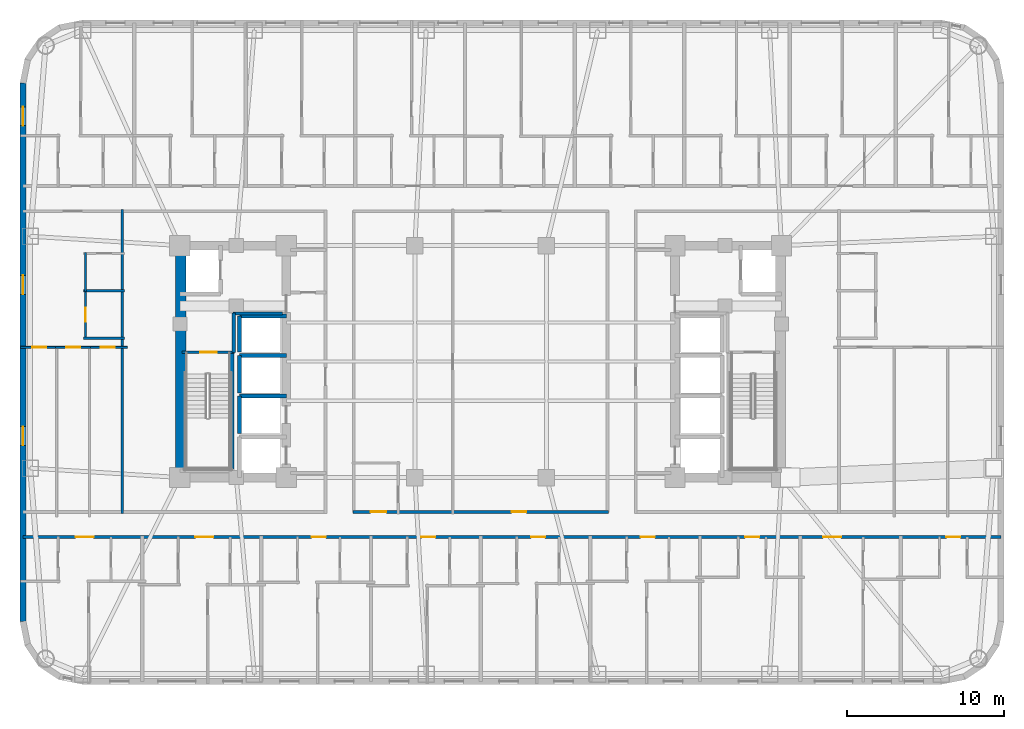
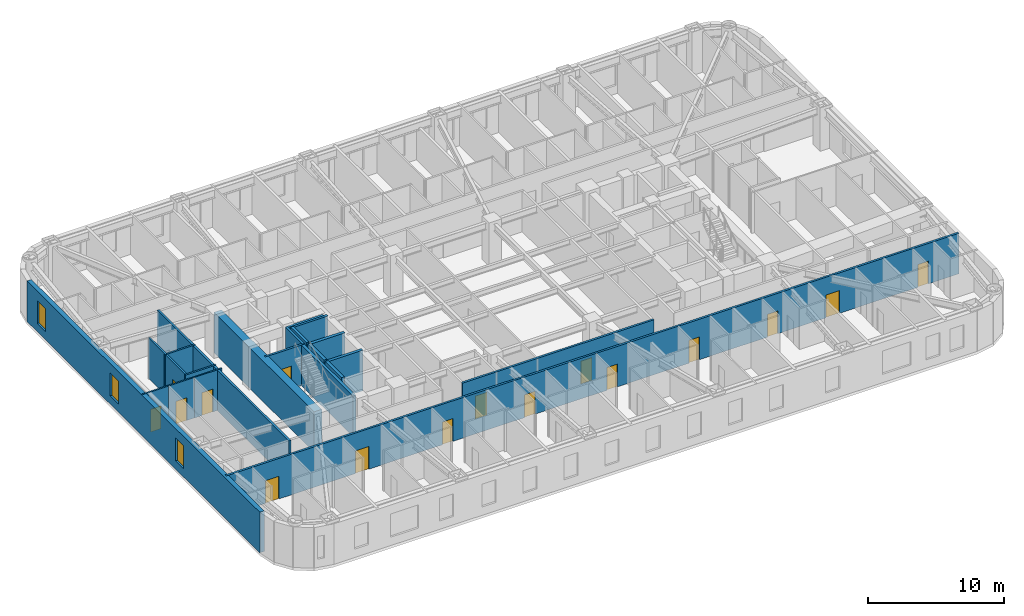
# One storey, part 5 of 13: 22 walls, 16 doors, 3 windows, 19 openings.
"""IFC4 building model written with IfcOpenShell, lengths in metres."""

from ifc_helpers import new_model, si_unit, direction, frame, frame_2d, origin, place, context, subcontext, project, spatial, rectangle, extrude, material, layer, layer_set, type_object, element, fill, save


model = new_model("IFC4")

# Units and contexts
model_context = context("Model", 3, precision=1e-05, world=origin(), true_north=direction((0.0, 1.0)))
body_context = subcontext(model_context, "Body", "Model", "MODEL_VIEW")
ifc_project = project(units=[si_unit("LENGTHUNIT", "METRE"), si_unit("AREAUNIT", "SQUARE_METRE"), si_unit("VOLUMEUNIT", "CUBIC_METRE"), si_unit("PLANEANGLEUNIT", "RADIAN"), si_unit("MASSUNIT", "GRAM", prefix="KILO")], contexts=[model_context])

# Site, building, storey
site_placement = place(None, origin())
site = spatial("IfcSite", under=ifc_project, at=site_placement, CompositionType="ELEMENT")
building_placement = place(site_placement, origin())
building = spatial("IfcBuilding", under=site, at=building_placement, Name="Voryun Gate Residences", CompositionType="ELEMENT")
storey_placement = place(building_placement, frame((0.0, 0.0, 120.89990234375)))
storey = spatial("IfcBuildingStorey", under=building, at=storey_placement, Name="L29", CompositionType="ELEMENT", Elevation=120.89990234375)

# Wall
ifc_material_1 = material(Name="Concrete C60/75", Category="concrete")
ifc_layer_1 = layer(ifc_material_1, 0.64990234375, Name="CW_CORE_650")
ifc_layer_set_1 = layer_set([ifc_layer_1], Name="Concrete C60/75")
wall_type_1 = type_object("IfcWallType", Name="CW_CORE_650", PredefinedType="SHEAR", material=ifc_layer_set_1)
wall_1_placement = place(storey_placement, frame((-19.14501953125, -7.39990234375, 0.0), z_axis=(0.0, 0.0, 1.0), x_axis=(0.0, 1.0, 0.0)))
element("IfcWall", 1, at=wall_1_placement, inside=storey, type_object=wall_type_1, Name="L29 Core shear wall CW-L29-WW", PredefinedType="SHEAR", context=body_context, shape_type="SweptSolid", body=[
    extrude(rectangle(XDim=14.7998046875, YDim=0.64990234375, at=frame_2d((7.39990234375, 0.0))), origin(), (0.0, 0.0, 1.0), 3.650146484375),
])

# Wall, opening, door
ifc_material_2 = material(Name="Gypsum acoustic fireboard")
ifc_layer_2 = layer(ifc_material_2, 0.179931640625, Name="W_CORR_RATED_180")
ifc_layer_set_2 = layer_set([ifc_layer_2], Name="Gypsum acoustic fireboard")
wall_type_2 = type_object("IfcWallType", Name="W_CORR_RATED_180", PredefinedType="PARTITIONING", material=ifc_layer_set_2)
wall_2_placement = place(storey_placement, frame((-19.06005859375, 0.60009765625, 0.0), z_axis=(0.0, 0.0, 1.0), x_axis=(1.0, 0.0, 0.0)))
wall_2 = element("IfcWall", 2, at=wall_2_placement, inside=storey, type_object=wall_type_2, Name="Partition wall WP-L29-STV-W", PredefinedType="PARTITIONING", context=body_context, shape_type="SweptSolid", body=[
    extrude(rectangle(XDim=3.360107421875, YDim=0.179931640625, at=frame_2d((1.68017578125, 0.0))), origin(), (0.0, 0.0, 1.0), 3.650146484375),
])
opening_1_placement = place(wall_2_placement, frame((1.155029296875, 0.0, 0.0)))
opening_1 = element("IfcOpeningElement", 3, at=opening_1_placement, cuts=wall_2, Name="Opening D-FD60-1", PredefinedType="OPENING", context=body_context, shape_type="SweptSolid", body=[
    extrude(rectangle(XDim=1.050048828125, YDim=2.050048828125, at=frame_2d((0.52490234375, 1.02490234375))), frame((0.0, 0.099853515625, 0.0), z_axis=(0.0, -1.0, 0.0), x_axis=(1.0, 0.0, 0.0)), (0.0, 0.0, 1.0), 0.199951171875),
])
ifc_material_3 = material(Name="Painted steel fire door", Category="steel")
door_type_1 = type_object("IfcDoorType", Name="DR_FD60_STAIR_1050", OperationType="NOTDEFINED", PredefinedType="DOOR", material=ifc_material_3)
door_1_placement = place(opening_1_placement, origin())
door_1 = element("IfcDoor", 4, at=door_1_placement, inside=storey, type_object=door_type_1, Name="Door DR-L29-ST-W", OperationType="SINGLE_SWING_LEFT", OverallHeight=2.050048828125, OverallWidth=1.050048828125, PredefinedType="DOOR", context=body_context, shape_type="SweptSolid", body=[
    extrude(rectangle(XDim=1.050048828125, YDim=2.050048828125, at=frame_2d((0.52490234375, 1.02490234375))), frame((0.0, 0.02490234375, 0.0), z_axis=(0.0, -1.0, 0.0), x_axis=(1.0, 0.0, 0.0)), (0.0, 0.0, 1.0), 0.050048828125),
])
fill(opening_1, door_1)

# Wall, openings, doors
wall_3_placement = place(storey_placement, frame((-8.14990234375, -9.590087890625, 0.0), z_axis=(0.0, 0.0, 1.0), x_axis=(1.0, 0.0, 0.0)))
wall_3 = element("IfcWall", 5, at=wall_3_placement, inside=storey, type_object=wall_type_2, Name="Partition wall WP-L29-Z1S", PredefinedType="PARTITIONING", context=body_context, shape_type="SweptSolid", body=[
    extrude(rectangle(XDim=16.2998046875, YDim=0.179931640625, at=frame_2d((8.14990234375, 0.0))), origin(), (0.0, 0.0, 1.0), 3.650146484375),
])
opening_2_placement = place(wall_3_placement, frame((1.1298828125, 0.0, 0.0)))
opening_2 = element("IfcOpeningElement", 6, at=opening_2_placement, cuts=wall_3, Name="Opening D-AWC-1", PredefinedType="OPENING", context=body_context, shape_type="SweptSolid", body=[
    extrude(rectangle(XDim=1.0, YDim=2.050048828125, at=frame_2d((0.5, 1.02490234375))), frame((0.0, 0.099853515625, 0.0), z_axis=(0.0, -1.0, 0.0), x_axis=(1.0, 0.0, 0.0)), (0.0, 0.0, 1.0), 0.199951171875),
])
opening_3_placement = place(wall_3_placement, frame((10.1201171875, 0.0, 0.0)))
opening_3 = element("IfcOpeningElement", 7, at=opening_3_placement, cuts=wall_3, Name="Opening D-INT-1", PredefinedType="OPENING", context=body_context, shape_type="SweptSolid", body=[
    extrude(rectangle(XDim=0.949951171875, YDim=2.050048828125, at=frame_2d((0.47509765625, 1.02490234375))), frame((0.0, 0.099853515625, 0.0), z_axis=(0.0, -1.0, 0.0), x_axis=(1.0, 0.0, 0.0)), (0.0, 0.0, 1.0), 0.199951171875),
])
ifc_material_4 = material(Name="Architectural oak veneer")
door_type_2 = type_object("IfcDoorType", Name="DR_ACC_WC_1000", OperationType="NOTDEFINED", PredefinedType="DOOR", material=ifc_material_4)
door_2_placement = place(opening_2_placement, origin())
door_2 = element("IfcDoor", 8, at=door_2_placement, inside=storey, type_object=door_type_2, Name="Door DR-L29-CMWC-D", OperationType="SINGLE_SWING_LEFT", OverallHeight=2.050048828125, OverallWidth=1.0, PredefinedType="DOOR", context=body_context, shape_type="SweptSolid", body=[
    extrude(rectangle(XDim=1.0, YDim=2.050048828125, at=frame_2d((0.5, 1.02490234375))), frame((0.0, 0.02490234375, 0.0), z_axis=(0.0, -1.0, 0.0), x_axis=(1.0, 0.0, 0.0)), (0.0, 0.0, 1.0), 0.050048828125),
])
fill(opening_2, door_2)
ifc_material_5 = material(Name="Architectural oak veneer")
door_type_3 = type_object("IfcDoorType", Name="DR_INT_ROOM_950", OperationType="NOTDEFINED", PredefinedType="DOOR", material=ifc_material_5)
door_3_placement = place(opening_3_placement, origin())
door_3 = element("IfcDoor", 9, at=door_3_placement, inside=storey, type_object=door_type_3, Name="Door DR-L29-CMIDZ1S", OperationType="SINGLE_SWING_RIGHT", OverallHeight=2.050048828125, OverallWidth=0.949951171875, PredefinedType="DOOR", context=body_context, shape_type="SweptSolid", body=[
    extrude(rectangle(XDim=0.949951171875, YDim=2.050048828125, at=frame_2d((0.47509765625, 1.02490234375))), frame((0.0, 0.02490234375, 0.0), z_axis=(0.0, -1.0, 0.0), x_axis=(1.0, 0.0, 0.0)), (0.0, 0.0, 1.0), 0.050048828125),
])
fill(opening_3, door_3)

wall_4_placement = place(storey_placement, frame((-29.2099609375, -11.199951171875, 0.0), z_axis=(0.0, 0.0, 1.0), x_axis=(1.0, 0.0, 0.0)))
wall_4 = element("IfcWall", 10, at=wall_4_placement, inside=storey, type_object=wall_type_2, Name="Partition wall WP-L29-SCORR", PredefinedType="PARTITIONING", context=body_context, shape_type="SweptSolid", body=[
    extrude(rectangle(XDim=62.419921875, YDim=0.179931640625, at=frame_2d((31.2099609375, 0.0))), origin(), (0.0, 0.0, 1.0), 3.650146484375),
])
opening_4_placement = place(wall_4_placement, frame((3.357421875, 0.0, 0.0)))
opening_4 = element("IfcOpeningElement", 11, at=opening_4_placement, cuts=wall_4, Name="Opening D-UNIT-1", PredefinedType="OPENING", context=body_context, shape_type="SweptSolid", body=[
    extrude(rectangle(XDim=1.14990234375, YDim=2.050048828125, at=frame_2d((0.574951171875, 1.02490234375))), frame((0.0, 0.099853515625, 0.0), z_axis=(0.0, -1.0, 0.0), x_axis=(1.0, 0.0, 0.0)), (0.0, 0.0, 1.0), 0.199951171875),
])
opening_5_placement = place(wall_4_placement, frame((10.997802734375, 0.0, 0.0)))
opening_5 = element("IfcOpeningElement", 12, at=opening_5_placement, cuts=wall_4, Name="Opening D-UNIT-1", PredefinedType="OPENING", context=body_context, shape_type="SweptSolid", body=[
    extrude(rectangle(XDim=1.14990234375, YDim=2.050048828125, at=frame_2d((0.574951171875, 1.02490234375))), frame((0.0, 0.099853515625, 0.0), z_axis=(0.0, -1.0, 0.0), x_axis=(1.0, 0.0, 0.0)), (0.0, 0.0, 1.0), 0.199951171875),
])
opening_6_placement = place(wall_4_placement, frame((18.42578125, 0.0, 0.0)))
opening_6 = element("IfcOpeningElement", 13, at=opening_6_placement, cuts=wall_4, Name="Opening D-INT-2", PredefinedType="OPENING", context=body_context, shape_type="SweptSolid", body=[
    extrude(rectangle(XDim=0.89990234375, YDim=2.050048828125, at=frame_2d((0.449951171875, 1.02490234375))), frame((0.0, 0.099853515625, 0.0), z_axis=(0.0, -1.0, 0.0), x_axis=(1.0, 0.0, 0.0)), (0.0, 0.0, 1.0), 0.199951171875),
])
opening_7_placement = place(wall_4_placement, frame((25.423095703125, 0.0, 0.0)))
opening_7 = element("IfcOpeningElement", 14, at=opening_7_placement, cuts=wall_4, Name="Opening D-INT-2", PredefinedType="OPENING", context=body_context, shape_type="SweptSolid", body=[
    extrude(rectangle(XDim=0.89990234375, YDim=2.050048828125, at=frame_2d((0.449951171875, 1.02490234375))), frame((0.0, 0.099853515625, 0.0), z_axis=(0.0, -1.0, 0.0), x_axis=(1.0, 0.0, 0.0)), (0.0, 0.0, 1.0), 0.199951171875),
])
opening_8_placement = place(wall_4_placement, frame((32.426513671875, 0.0, 0.0)))
opening_8 = element("IfcOpeningElement", 15, at=opening_8_placement, cuts=wall_4, Name="Opening D-INT-2", PredefinedType="OPENING", context=body_context, shape_type="SweptSolid", body=[
    extrude(rectangle(XDim=0.89990234375, YDim=2.050048828125, at=frame_2d((0.449951171875, 1.02490234375))), frame((0.0, 0.099853515625, 0.0), z_axis=(0.0, -1.0, 0.0), x_axis=(1.0, 0.0, 0.0)), (0.0, 0.0, 1.0), 0.199951171875),
])
opening_9_placement = place(wall_4_placement, frame((39.423828125, 0.0, 0.0)))
opening_9 = element("IfcOpeningElement", 16, at=opening_9_placement, cuts=wall_4, Name="Opening D-INT-2", PredefinedType="OPENING", context=body_context, shape_type="SweptSolid", body=[
    extrude(rectangle(XDim=0.89990234375, YDim=2.050048828125, at=frame_2d((0.449951171875, 1.02490234375))), frame((0.0, 0.099853515625, 0.0), z_axis=(0.0, -1.0, 0.0), x_axis=(1.0, 0.0, 0.0)), (0.0, 0.0, 1.0), 0.199951171875),
])
opening_10_placement = place(wall_4_placement, frame((46.09033203125, 0.0, 0.0)))
opening_10 = element("IfcOpeningElement", 17, at=opening_10_placement, cuts=wall_4, Name="Opening D-INT-2", PredefinedType="OPENING", context=body_context, shape_type="SweptSolid", body=[
    extrude(rectangle(XDim=0.89990234375, YDim=2.050048828125, at=frame_2d((0.449951171875, 1.02490234375))), frame((0.0, 0.099853515625, 0.0), z_axis=(0.0, -1.0, 0.0), x_axis=(1.0, 0.0, 0.0)), (0.0, 0.0, 1.0), 0.199951171875),
])
opening_11_placement = place(wall_4_placement, frame((51.0712890625, 0.0, 0.0)))
opening_11 = element("IfcOpeningElement", 18, at=opening_11_placement, cuts=wall_4, Name="Opening D-UNIT-1", PredefinedType="OPENING", context=body_context, shape_type="SweptSolid", body=[
    extrude(rectangle(XDim=1.14990234375, YDim=2.050048828125, at=frame_2d((0.574951171875, 1.02490234375))), frame((0.0, 0.099853515625, 0.0), z_axis=(0.0, -1.0, 0.0), x_axis=(1.0, 0.0, 0.0)), (0.0, 0.0, 1.0), 0.199951171875),
])
opening_12_placement = place(wall_4_placement, frame((58.93017578125, 0.0, 0.0)))
opening_12 = element("IfcOpeningElement", 19, at=opening_12_placement, cuts=wall_4, Name="Opening D-INT-2", PredefinedType="OPENING", context=body_context, shape_type="SweptSolid", body=[
    extrude(rectangle(XDim=0.89990234375, YDim=2.050048828125, at=frame_2d((0.449951171875, 1.02490234375))), frame((0.0, 0.099853515625, 0.0), z_axis=(0.0, -1.0, 0.0), x_axis=(1.0, 0.0, 0.0)), (0.0, 0.0, 1.0), 0.199951171875),
])
ifc_material_6 = material(Name="Architectural oak veneer")
door_type_4 = type_object("IfcDoorType", Name="DR_INT_BATH_900", OperationType="NOTDEFINED", PredefinedType="DOOR", material=ifc_material_6)
door_4_placement = place(opening_6_placement, origin())
door_4 = element("IfcDoor", 20, at=door_4_placement, inside=storey, type_object=door_type_4, Name="Door DR-L29-SENT-3", OperationType="SINGLE_SWING_RIGHT", OverallHeight=2.050048828125, OverallWidth=0.89990234375, PredefinedType="DOOR", context=body_context, shape_type="SweptSolid", body=[
    extrude(rectangle(XDim=0.89990234375, YDim=2.050048828125, at=frame_2d((0.449951171875, 1.02490234375))), frame((0.0, 0.02490234375, 0.0), z_axis=(0.0, -1.0, 0.0), x_axis=(1.0, 0.0, 0.0)), (0.0, 0.0, 1.0), 0.050048828125),
])
fill(opening_6, door_4)
door_5_placement = place(opening_7_placement, origin())
door_5 = element("IfcDoor", 21, at=door_5_placement, inside=storey, type_object=door_type_4, Name="Door DR-L29-SENT-4", OperationType="SINGLE_SWING_LEFT", OverallHeight=2.050048828125, OverallWidth=0.89990234375, PredefinedType="DOOR", context=body_context, shape_type="SweptSolid", body=[
    extrude(rectangle(XDim=0.89990234375, YDim=2.050048828125, at=frame_2d((0.449951171875, 1.02490234375))), frame((0.0, 0.02490234375, 0.0), z_axis=(0.0, -1.0, 0.0), x_axis=(1.0, 0.0, 0.0)), (0.0, 0.0, 1.0), 0.050048828125),
])
fill(opening_7, door_5)
door_6_placement = place(opening_8_placement, origin())
door_6 = element("IfcDoor", 22, at=door_6_placement, inside=storey, type_object=door_type_4, Name="Door DR-L29-SENT-5", OperationType="SINGLE_SWING_RIGHT", OverallHeight=2.050048828125, OverallWidth=0.89990234375, PredefinedType="DOOR", context=body_context, shape_type="SweptSolid", body=[
    extrude(rectangle(XDim=0.89990234375, YDim=2.050048828125, at=frame_2d((0.449951171875, 1.02490234375))), frame((0.0, 0.02490234375, 0.0), z_axis=(0.0, -1.0, 0.0), x_axis=(1.0, 0.0, 0.0)), (0.0, 0.0, 1.0), 0.050048828125),
])
fill(opening_8, door_6)
door_7_placement = place(opening_9_placement, origin())
door_7 = element("IfcDoor", 23, at=door_7_placement, inside=storey, type_object=door_type_4, Name="Door DR-L29-SENT-6", OperationType="SINGLE_SWING_LEFT", OverallHeight=2.050048828125, OverallWidth=0.89990234375, PredefinedType="DOOR", context=body_context, shape_type="SweptSolid", body=[
    extrude(rectangle(XDim=0.89990234375, YDim=2.050048828125, at=frame_2d((0.449951171875, 1.02490234375))), frame((0.0, 0.02490234375, 0.0), z_axis=(0.0, -1.0, 0.0), x_axis=(1.0, 0.0, 0.0)), (0.0, 0.0, 1.0), 0.050048828125),
])
fill(opening_9, door_7)
door_8_placement = place(opening_10_placement, origin())
door_8 = element("IfcDoor", 24, at=door_8_placement, inside=storey, type_object=door_type_4, Name="Door DR-L29-SENT-7", OperationType="SINGLE_SWING_RIGHT", OverallHeight=2.050048828125, OverallWidth=0.89990234375, PredefinedType="DOOR", context=body_context, shape_type="SweptSolid", body=[
    extrude(rectangle(XDim=0.89990234375, YDim=2.050048828125, at=frame_2d((0.449951171875, 1.02490234375))), frame((0.0, 0.02490234375, 0.0), z_axis=(0.0, -1.0, 0.0), x_axis=(1.0, 0.0, 0.0)), (0.0, 0.0, 1.0), 0.050048828125),
])
fill(opening_10, door_8)
door_9_placement = place(opening_12_placement, origin())
door_9 = element("IfcDoor", 25, at=door_9_placement, inside=storey, type_object=door_type_4, Name="Door DR-L29-SENT-9", OperationType="SINGLE_SWING_RIGHT", OverallHeight=2.050048828125, OverallWidth=0.89990234375, PredefinedType="DOOR", context=body_context, shape_type="SweptSolid", body=[
    extrude(rectangle(XDim=0.89990234375, YDim=2.050048828125, at=frame_2d((0.449951171875, 1.02490234375))), frame((0.0, 0.02490234375, 0.0), z_axis=(0.0, -1.0, 0.0), x_axis=(1.0, 0.0, 0.0)), (0.0, 0.0, 1.0), 0.050048828125),
])
fill(opening_12, door_9)
ifc_material_7 = material(Name="Armoured timber-clad fire door", Category="wood")
door_type_5 = type_object("IfcDoorType", Name="DR_UNIT_ENTRY_1150", OperationType="NOTDEFINED", PredefinedType="DOOR", material=ifc_material_7)
door_10_placement = place(opening_4_placement, origin())
door_10 = element("IfcDoor", 26, at=door_10_placement, inside=storey, type_object=door_type_5, Name="Door DR-L29-SENT-1", OperationType="SINGLE_SWING_RIGHT", OverallHeight=2.050048828125, OverallWidth=1.14990234375, PredefinedType="DOOR", context=body_context, shape_type="SweptSolid", body=[
    extrude(rectangle(XDim=1.14990234375, YDim=2.050048828125, at=frame_2d((0.574951171875, 1.02490234375))), frame((0.0, 0.02490234375, 0.0), z_axis=(0.0, -1.0, 0.0), x_axis=(1.0, 0.0, 0.0)), (0.0, 0.0, 1.0), 0.050048828125),
])
fill(opening_4, door_10)
door_11_placement = place(opening_5_placement, origin())
door_11 = element("IfcDoor", 27, at=door_11_placement, inside=storey, type_object=door_type_5, Name="Door DR-L29-SENT-2", OperationType="SINGLE_SWING_LEFT", OverallHeight=2.050048828125, OverallWidth=1.14990234375, PredefinedType="DOOR", context=body_context, shape_type="SweptSolid", body=[
    extrude(rectangle(XDim=1.14990234375, YDim=2.050048828125, at=frame_2d((0.574951171875, 1.02490234375))), frame((0.0, 0.02490234375, 0.0), z_axis=(0.0, -1.0, 0.0), x_axis=(1.0, 0.0, 0.0)), (0.0, 0.0, 1.0), 0.050048828125),
])
fill(opening_5, door_11)
door_12_placement = place(opening_11_placement, origin())
door_12 = element("IfcDoor", 28, at=door_12_placement, inside=storey, type_object=door_type_5, Name="Door DR-L29-SENT-8", OperationType="SINGLE_SWING_LEFT", OverallHeight=2.050048828125, OverallWidth=1.14990234375, PredefinedType="DOOR", context=body_context, shape_type="SweptSolid", body=[
    extrude(rectangle(XDim=1.14990234375, YDim=2.050048828125, at=frame_2d((0.574951171875, 1.02490234375))), frame((0.0, 0.02490234375, 0.0), z_axis=(0.0, -1.0, 0.0), x_axis=(1.0, 0.0, 0.0)), (0.0, 0.0, 1.0), 0.050048828125),
])
fill(opening_11, door_12)

# Wall
wall_5_placement = place(storey_placement, frame((-22.8701171875, -9.7099609375, 0.0), z_axis=(0.0, 0.0, 1.0), x_axis=(0.0, 1.0, 0.0)))
element("IfcWall", 29, at=wall_5_placement, inside=storey, type_object=wall_type_2, Name="Partition wall WP-L29-WCOR", PredefinedType="PARTITIONING", context=body_context, shape_type="SweptSolid", body=[
    extrude(rectangle(XDim=19.419921875, YDim=0.179931640625, at=frame_2d((9.7099609375, 0.0))), origin(), (0.0, 0.0, 1.0), 3.650146484375),
])

# Wall, openings, windows
ifc_material_8 = material(Name="Granite masonry", Category="masonry")
ifc_layer_3 = layer(ifc_material_8, 0.3798828125, Name="W_EXT_GRANITE_380")
ifc_layer_set_3 = layer_set([ifc_layer_3], Name="Granite masonry")
wall_type_3 = type_object("IfcWallType", Name="W_EXT_GRANITE_380", PredefinedType="ELEMENTEDWALL", material=ifc_layer_set_3)
wall_6_placement = place(storey_placement, frame((-29.2099609375, -16.581298828125, 0.0), z_axis=(0.0, 0.0, 1.0), x_axis=(0.0, 1.0, 0.0)))
wall_6 = element("IfcWall", 30, at=wall_6_placement, inside=storey, type_object=wall_type_3, Name="Exterior wall WEXT-L29-06", PredefinedType="ELEMENTEDWALL", context=body_context, shape_type="SweptSolid", body=[
    extrude(rectangle(XDim=34.362548828125, YDim=0.3798828125, at=frame_2d((17.18115234375, 0.0))), origin(), (0.0, 0.0, 1.0), 3.650146484375),
])
opening_13_placement = place(wall_6_placement, frame((31.636962890625, 0.0, 0.75)))
opening_13 = element("IfcOpeningElement", 31, at=opening_13_placement, cuts=wall_6, Name="Opening WN6", PredefinedType="OPENING", context=body_context, shape_type="SweptSolid", body=[
    extrude(rectangle(XDim=1.199951171875, YDim=2.050048828125, at=frame_2d((0.60009765625, 1.02490234375))), frame((0.0, 0.199951171875, 0.0), z_axis=(0.0, -1.0, 0.0), x_axis=(1.0, 0.0, 0.0)), (0.0, 0.0, 1.0), 0.39990234375),
])
opening_14_placement = place(wall_6_placement, frame((20.876220703125, 0.0, 0.75)))
opening_14 = element("IfcOpeningElement", 32, at=opening_14_placement, cuts=wall_6, Name="Opening WN6", PredefinedType="OPENING", context=body_context, shape_type="SweptSolid", body=[
    extrude(rectangle(XDim=1.199951171875, YDim=2.050048828125, at=frame_2d((0.60009765625, 1.02490234375))), frame((0.0, 0.199951171875, 0.0), z_axis=(0.0, -1.0, 0.0), x_axis=(1.0, 0.0, 0.0)), (0.0, 0.0, 1.0), 0.39990234375),
])
opening_15_placement = place(wall_6_placement, frame((11.226318359375, 0.0, 0.75)))
opening_15 = element("IfcOpeningElement", 33, at=opening_15_placement, cuts=wall_6, Name="Opening WN6", PredefinedType="OPENING", context=body_context, shape_type="SweptSolid", body=[
    extrude(rectangle(XDim=1.199951171875, YDim=2.050048828125, at=frame_2d((0.60009765625, 1.02490234375))), frame((0.0, 0.199951171875, 0.0), z_axis=(0.0, -1.0, 0.0), x_axis=(1.0, 0.0, 0.0)), (0.0, 0.0, 1.0), 0.39990234375),
])
ifc_material_9 = material(Name="Laminated low-E glass", Category="glass")
window_type = type_object("IfcWindowType", Name="WN_POD_SLOT_1200", PartitioningType="SINGLE_PANEL", PredefinedType="WINDOW", material=ifc_material_9)
window_1_placement = place(opening_13_placement, origin())
window_1 = element("IfcWindow", 34, at=window_1_placement, inside=storey, type_object=window_type, Name="Window WN-L29-DWFIX-01", OverallHeight=2.050048828125, OverallWidth=1.199951171875, PartitioningType="SINGLE_PANEL", PredefinedType="WINDOW", context=body_context, shape_type="SweptSolid", body=[
    extrude(rectangle(XDim=1.199951171875, YDim=2.050048828125, at=frame_2d((0.60009765625, 1.02490234375))), frame((0.0, 0.030029296875, 0.0), z_axis=(0.0, -1.0, 0.0), x_axis=(1.0, 0.0, 0.0)), (0.0, 0.0, 1.0), 0.06005859375),
])
fill(opening_13, window_1)
window_2_placement = place(opening_14_placement, origin())
window_2 = element("IfcWindow", 35, at=window_2_placement, inside=storey, type_object=window_type, Name="Window WN-L29-DWFIX-30", OverallHeight=2.050048828125, OverallWidth=1.199951171875, PartitioningType="SINGLE_PANEL", PredefinedType="WINDOW", context=body_context, shape_type="SweptSolid", body=[
    extrude(rectangle(XDim=1.199951171875, YDim=2.050048828125, at=frame_2d((0.60009765625, 1.02490234375))), frame((0.0, 0.030029296875, 0.0), z_axis=(0.0, -1.0, 0.0), x_axis=(1.0, 0.0, 0.0)), (0.0, 0.0, 1.0), 0.06005859375),
])
fill(opening_14, window_2)
window_3_placement = place(opening_15_placement, origin())
window_3 = element("IfcWindow", 36, at=window_3_placement, inside=storey, type_object=window_type, Name="Window WN-L29-DWFIX-31", OverallHeight=2.050048828125, OverallWidth=1.199951171875, PartitioningType="SINGLE_PANEL", PredefinedType="WINDOW", context=body_context, shape_type="SweptSolid", body=[
    extrude(rectangle(XDim=1.199951171875, YDim=2.050048828125, at=frame_2d((0.60009765625, 1.02490234375))), frame((0.0, 0.030029296875, 0.0), z_axis=(0.0, -1.0, 0.0), x_axis=(1.0, 0.0, 0.0)), (0.0, 0.0, 1.0), 0.06005859375),
])
fill(opening_15, window_3)

# Walls
ifc_material_10 = material(Name="Concrete C40/50", Category="concrete")
ifc_layer_4 = layer(ifc_material_10, 0.199951171875, Name="W_FF_LOBBY_200")
ifc_layer_set_4 = layer_set([ifc_layer_4], Name="Concrete C40/50")
wall_type_4 = type_object("IfcWallType", Name="W_FF_LOBBY_200", PredefinedType="PARTITIONING", material=ifc_layer_set_4)
wall_7_placement = place(storey_placement, frame((-15.760009765625, 0.580078125, 0.0), z_axis=(0.0, 0.0, 1.0), x_axis=(0.0, 1.0, 0.0)))
element("IfcWall", 37, at=wall_7_placement, inside=storey, type_object=wall_type_4, Name="Partition wall WP-L29-FFP0-W", PredefinedType="PARTITIONING", context=body_context, shape_type="SweptSolid", body=[
    extrude(rectangle(XDim=2.52001953125, YDim=0.199951171875, at=frame_2d((1.260009765625, 0.0))), origin(), (0.0, 0.0, 1.0), 3.650146484375),
])
wall_8_placement = place(storey_placement, frame((-15.820068359375, 3.06005859375, 0.0), z_axis=(0.0, 0.0, 1.0), x_axis=(1.0, 0.0, 0.0)))
element("IfcWall", 38, at=wall_8_placement, inside=storey, type_object=wall_type_4, Name="Partition wall WP-L29-FFPS-W", PredefinedType="PARTITIONING", context=body_context, shape_type="SweptSolid", body=[
    extrude(rectangle(XDim=3.16015625, YDim=0.199951171875, at=frame_2d((1.580078125, 0.0))), origin(), (0.0, 0.0, 1.0), 3.650146484375),
])
ifc_material_11 = material(Name="Concrete C50/60", Category="concrete")
ifc_layer_5 = layer(ifc_material_11, 0.25, Name="W_SHAFT_RC250")
ifc_layer_set_5 = layer_set([ifc_layer_5], Name="Concrete C50/60")
wall_type_5 = type_object("IfcWallType", Name="W_SHAFT_RC250", PredefinedType="SOLIDWALL", material=ifc_layer_set_5)
wall_9_placement = place(storey_placement, frame((-15.860107421875, -7.0849609375, 0.0), z_axis=(0.0, 0.0, 1.0), x_axis=(0.0, 1.0, 0.0)))
element("IfcWall", 39, at=wall_9_placement, inside=storey, type_object=wall_type_5, Name="L29 Stair shaft structural wall W-STR", PredefinedType="SOLIDWALL", context=body_context, shape_type="SweptSolid", body=[
    extrude(rectangle(XDim=7.68505859375, YDim=0.25, at=frame_2d((3.842529296875, 0.0))), origin(), (0.0, 0.0, 1.0), 3.650146484375),
])
wall_10_placement = place(storey_placement, frame((-12.39990234375, -2.199951171875, 0.0), z_axis=(0.0, 0.0, 1.0), x_axis=(-1.0, 0.0, 0.0)))
element("IfcWall", 40, at=wall_10_placement, inside=storey, type_object=wall_type_5, Name="Lift shaft wall WSH-L29-EL-P2-N", PredefinedType="SOLIDWALL", context=body_context, shape_type="SweptSolid", body=[
    extrude(rectangle(XDim=3.0, YDim=0.25, at=frame_2d((1.5, 0.0))), origin(), (0.0, 0.0, 1.0), 3.650146484375),
])
wall_11_placement = place(storey_placement, frame((-15.39990234375, -2.199951171875, 0.0), z_axis=(0.0, 0.0, 1.0), x_axis=(0.0, -1.0, 0.0)))
element("IfcWall", 41, at=wall_11_placement, inside=storey, type_object=wall_type_5, Name="Lift shaft wall WSH-L29-EL-P2-W", PredefinedType="SOLIDWALL", context=body_context, shape_type="SweptSolid", body=[
    extrude(rectangle(XDim=2.400146484375, YDim=0.25, at=frame_2d((1.2001953125, 0.0))), origin(), (0.0, 0.0, 1.0), 3.650146484375),
])
wall_12_placement = place(storey_placement, frame((-12.39990234375, 0.39990234375, 0.0), z_axis=(0.0, 0.0, 1.0), x_axis=(-1.0, 0.0, 0.0)))
element("IfcWall", 42, at=wall_12_placement, inside=storey, type_object=wall_type_5, Name="Lift shaft wall WSH-L29-EL-P4-N", PredefinedType="SOLIDWALL", context=body_context, shape_type="SweptSolid", body=[
    extrude(rectangle(XDim=3.0, YDim=0.25, at=frame_2d((1.5, 0.0))), origin(), (0.0, 0.0, 1.0), 3.650146484375),
])
wall_13_placement = place(storey_placement, frame((-15.39990234375, 0.39990234375, 0.0), z_axis=(0.0, 0.0, 1.0), x_axis=(0.0, -1.0, 0.0)))
element("IfcWall", 43, at=wall_13_placement, inside=storey, type_object=wall_type_5, Name="Lift shaft wall WSH-L29-EL-P4-W", PredefinedType="SOLIDWALL", context=body_context, shape_type="SweptSolid", body=[
    extrude(rectangle(XDim=2.39990234375, YDim=0.25, at=frame_2d((1.199951171875, 0.0))), origin(), (0.0, 0.0, 1.0), 3.650146484375),
])
wall_14_placement = place(storey_placement, frame((-12.39990234375, 2.89990234375, 0.0), z_axis=(0.0, 0.0, 1.0), x_axis=(-1.0, 0.0, 0.0)))
element("IfcWall", 44, at=wall_14_placement, inside=storey, type_object=wall_type_5, Name="Lift shaft wall WSH-L29-EL-P7-N", PredefinedType="SOLIDWALL", context=body_context, shape_type="SweptSolid", body=[
    extrude(rectangle(XDim=3.0, YDim=0.25, at=frame_2d((1.5, 0.0))), origin(), (0.0, 0.0, 1.0), 3.650146484375),
])
wall_15_placement = place(storey_placement, frame((-15.39990234375, 2.89990234375, 0.0), z_axis=(0.0, 0.0, 1.0), x_axis=(0.0, -1.0, 0.0)))
element("IfcWall", 45, at=wall_15_placement, inside=storey, type_object=wall_type_5, Name="Lift shaft wall WSH-L29-EL-P7-W", PredefinedType="SOLIDWALL", context=body_context, shape_type="SweptSolid", body=[
    extrude(rectangle(XDim=2.2998046875, YDim=0.25, at=frame_2d((1.14990234375, 0.0))), origin(), (0.0, 0.0, 1.0), 3.650146484375),
])

# Wall, opening, door
ifc_material_12 = material(Name="Gypsum acoustic partition")
ifc_layer_6 = layer(ifc_material_12, 0.125, Name="W_UNIT_PART_125")
ifc_layer_set_6 = layer_set([ifc_layer_6], Name="Gypsum acoustic partition")
wall_type_6 = type_object("IfcWallType", Name="W_UNIT_PART_125", PredefinedType="PARTITIONING", material=ifc_layer_set_6)
wall_16_placement = place(storey_placement, frame((-29.360107421875, 0.909912109375, 0.0), z_axis=(0.0, 0.0, 1.0), x_axis=(1.0, 0.0, 0.0)))
wall_16 = element("IfcWall", 46, at=wall_16_placement, inside=storey, type_object=wall_type_6, Name="Partition wall WP-L29-W1-HZMB1", PredefinedType="PARTITIONING", context=body_context, shape_type="SweptSolid", body=[
    extrude(rectangle(XDim=2.363525390625, YDim=0.125, at=frame_2d((1.181640625, 0.0))), origin(), (0.0, 0.0, 1.0), 3.650146484375),
])
opening_16_placement = place(wall_16_placement, frame((0.740478515625, 0.0, 0.0)))
opening_16 = element("IfcOpeningElement", 47, at=opening_16_placement, cuts=wall_16, Name="Opening D-INT-2", PredefinedType="OPENING", context=body_context, shape_type="SweptSolid", body=[
    extrude(rectangle(XDim=0.89990234375, YDim=2.050048828125, at=frame_2d((0.449951171875, 1.02490234375))), frame((0.0, 0.072509765625, 0.0), z_axis=(0.0, -1.0, 0.0), x_axis=(1.0, 0.0, 0.0)), (0.0, 0.0, 1.0), 0.14501953125),
])
door_13_placement = place(opening_16_placement, origin())
door_13 = element("IfcDoor", 48, at=door_13_placement, inside=storey, type_object=door_type_4, Name="Door DR-L29-W1-DMB", OperationType="SINGLE_SWING_LEFT", OverallHeight=2.050048828125, OverallWidth=0.89990234375, PredefinedType="DOOR", context=body_context, shape_type="SweptSolid", body=[
    extrude(rectangle(XDim=0.89990234375, YDim=2.050048828125, at=frame_2d((0.449951171875, 1.02490234375))), frame((0.0, 0.02490234375, 0.0), z_axis=(0.0, -1.0, 0.0), x_axis=(1.0, 0.0, 0.0)), (0.0, 0.0, 1.0), 0.050048828125),
])
fill(opening_16, door_13)

wall_17_placement = place(storey_placement, frame((-27.12158203125, 0.909912109375, 0.0), z_axis=(0.0, 0.0, 1.0), x_axis=(1.0, 0.0, 0.0)))
wall_17 = element("IfcWall", 49, at=wall_17_placement, inside=storey, type_object=wall_type_6, Name="Partition wall WP-L29-W1-HZMB2", PredefinedType="PARTITIONING", context=body_context, shape_type="SweptSolid", body=[
    extrude(rectangle(XDim=2.218994140625, YDim=0.125, at=frame_2d((1.109375, 0.0))), origin(), (0.0, 0.0, 1.0), 3.650146484375),
])
opening_17_placement = place(wall_17_placement, frame((0.659423828125, 0.0, 0.0)))
opening_17 = element("IfcOpeningElement", 50, at=opening_17_placement, cuts=wall_17, Name="Opening D-INT-2", PredefinedType="OPENING", context=body_context, shape_type="SweptSolid", body=[
    extrude(rectangle(XDim=0.89990234375, YDim=2.050048828125, at=frame_2d((0.449951171875, 1.02490234375))), frame((0.0, 0.072509765625, 0.0), z_axis=(0.0, -1.0, 0.0), x_axis=(1.0, 0.0, 0.0)), (0.0, 0.0, 1.0), 0.14501953125),
])
door_14_placement = place(opening_17_placement, origin())
door_14 = element("IfcDoor", 51, at=door_14_placement, inside=storey, type_object=door_type_4, Name="Door DR-L29-W1-DBD2", OperationType="SINGLE_SWING_RIGHT", OverallHeight=2.050048828125, OverallWidth=0.89990234375, PredefinedType="DOOR", context=body_context, shape_type="SweptSolid", body=[
    extrude(rectangle(XDim=0.89990234375, YDim=2.050048828125, at=frame_2d((0.449951171875, 1.02490234375))), frame((0.0, 0.02490234375, 0.0), z_axis=(0.0, -1.0, 0.0), x_axis=(1.0, 0.0, 0.0)), (0.0, 0.0, 1.0), 0.050048828125),
])
fill(opening_17, door_14)

wall_18_placement = place(storey_placement, frame((-25.027587890625, 0.909912109375, 0.0), z_axis=(0.0, 0.0, 1.0), x_axis=(1.0, 0.0, 0.0)))
wall_18 = element("IfcWall", 52, at=wall_18_placement, inside=storey, type_object=wall_type_6, Name="Partition wall WP-L29-W1-HZMB3", PredefinedType="PARTITIONING", context=body_context, shape_type="SweptSolid", body=[
    extrude(rectangle(XDim=2.4775390625, YDim=0.125, at=frame_2d((1.23876953125, 0.0))), origin(), (0.0, 0.0, 1.0), 3.650146484375),
])
opening_18_placement = place(wall_18_placement, frame((0.780029296875, 0.0, 0.0)))
opening_18 = element("IfcOpeningElement", 53, at=opening_18_placement, cuts=wall_18, Name="Opening D-INT-2", PredefinedType="OPENING", context=body_context, shape_type="SweptSolid", body=[
    extrude(rectangle(XDim=0.89990234375, YDim=2.050048828125, at=frame_2d((0.449951171875, 1.02490234375))), frame((0.0, 0.072509765625, 0.0), z_axis=(0.0, -1.0, 0.0), x_axis=(1.0, 0.0, 0.0)), (0.0, 0.0, 1.0), 0.14501953125),
])
door_15_placement = place(opening_18_placement, origin())
door_15 = element("IfcDoor", 54, at=door_15_placement, inside=storey, type_object=door_type_4, Name="Door DR-L29-W1-DBD3", OperationType="SINGLE_SWING_LEFT", OverallHeight=2.050048828125, OverallWidth=0.89990234375, PredefinedType="DOOR", context=body_context, shape_type="SweptSolid", body=[
    extrude(rectangle(XDim=0.89990234375, YDim=2.050048828125, at=frame_2d((0.449951171875, 1.02490234375))), frame((0.0, 0.02490234375, 0.0), z_axis=(0.0, -1.0, 0.0), x_axis=(1.0, 0.0, 0.0)), (0.0, 0.0, 1.0), 0.050048828125),
])
fill(opening_18, door_15)

# Walls
ifc_material_13 = material(Name="Gypsum moisture-resistant partition")
ifc_layer_7 = layer(ifc_material_13, 0.14990234375, Name="W_WET_PLUMB_150")
ifc_layer_set_7 = layer_set([ifc_layer_7], Name="Gypsum moisture-resistant partition")
wall_type_7 = type_object("IfcWallType", Name="W_WET_PLUMB_150", PredefinedType="PLUMBINGWALL", material=ifc_layer_set_7)
for number, where, z_axis, x_axis, name in (
    (55, (-25.340087890625, 4.52001953125, 0.0), (0.0, 0.0, 1.0), (1.0, 0.0, 0.0), "Partition wall WP-L29-W1-IKB"),
    (56, (-25.340087890625, 1.5, 0.0), (0.0, 0.0, 1.0), (1.0, 0.0, 0.0), "Partition wall WP-L29-W1-IBB"),
):
    element("IfcWall", number, at=place(storey_placement, frame(where, z_axis=z_axis, x_axis=x_axis)), inside=storey, type_object=wall_type_7, Name=name, PredefinedType="PLUMBINGWALL", context=body_context, shape_type="SweptSolid", body=[
        extrude(rectangle(XDim=2.6201171875, YDim=0.14990234375, at=frame_2d((1.31005859375, 0.0))), origin(), (0.0, 0.0, 1.0), 3.650146484375),
    ])

# Wall, opening, door
wall_19_placement = place(storey_placement, frame((-25.219970703125, 1.43994140625, 0.0), z_axis=(0.0, 0.0, 1.0), x_axis=(0.0, 1.0, 0.0)))
wall_19 = element("IfcWall", 57, at=wall_19_placement, inside=storey, type_object=wall_type_7, Name="Partition wall WP-L29-W1-VTSK1", PredefinedType="PLUMBINGWALL", context=body_context, shape_type="SweptSolid", body=[
    extrude(rectangle(XDim=3.1201171875, YDim=0.14990234375, at=frame_2d((1.56005859375, 0.0))), origin(), (0.0, 0.0, 1.0), 3.650146484375),
])
opening_19_placement = place(wall_19_placement, frame((1.110107421875, 0.0, 0.0)))
opening_19 = element("IfcOpeningElement", 58, at=opening_19_placement, cuts=wall_19, Name="Opening D-INT-2", PredefinedType="OPENING", context=body_context, shape_type="SweptSolid", body=[
    extrude(rectangle(XDim=0.89990234375, YDim=2.050048828125, at=frame_2d((0.449951171875, 1.02490234375))), frame((0.0, 0.0849609375, 0.0), z_axis=(0.0, -1.0, 0.0), x_axis=(1.0, 0.0, 0.0)), (0.0, 0.0, 1.0), 0.169921875),
])
door_16_placement = place(opening_19_placement, origin())
door_16 = element("IfcDoor", 59, at=door_16_placement, inside=storey, type_object=door_type_4, Name="Door DR-L29-W1-DB", OperationType="SINGLE_SWING_RIGHT", OverallHeight=2.050048828125, OverallWidth=0.89990234375, PredefinedType="DOOR", context=body_context, shape_type="SweptSolid", body=[
    extrude(rectangle(XDim=0.89990234375, YDim=2.050048828125, at=frame_2d((0.449951171875, 1.02490234375))), frame((0.0, 0.02490234375, 0.0), z_axis=(0.0, -1.0, 0.0), x_axis=(1.0, 0.0, 0.0)), (0.0, 0.0, 1.0), 0.050048828125),
])
fill(opening_19, door_16)

# Wall
wall_20_placement = place(storey_placement, frame((-25.219970703125, 4.47998046875, 0.0), z_axis=(0.0, 0.0, 1.0), x_axis=(0.0, 1.0, 0.0)))
element("IfcWall", 60, at=wall_20_placement, inside=storey, type_object=wall_type_7, Name="Partition wall WP-L29-W1-VTSK2", PredefinedType="PLUMBINGWALL", context=body_context, shape_type="SweptSolid", body=[
    extrude(rectangle(XDim=2.47998046875, YDim=0.14990234375, at=frame_2d((1.239990234375, 0.0))), origin(), (0.0, 0.0, 1.0), 3.650146484375),
])

save(model, "model.ifc")
